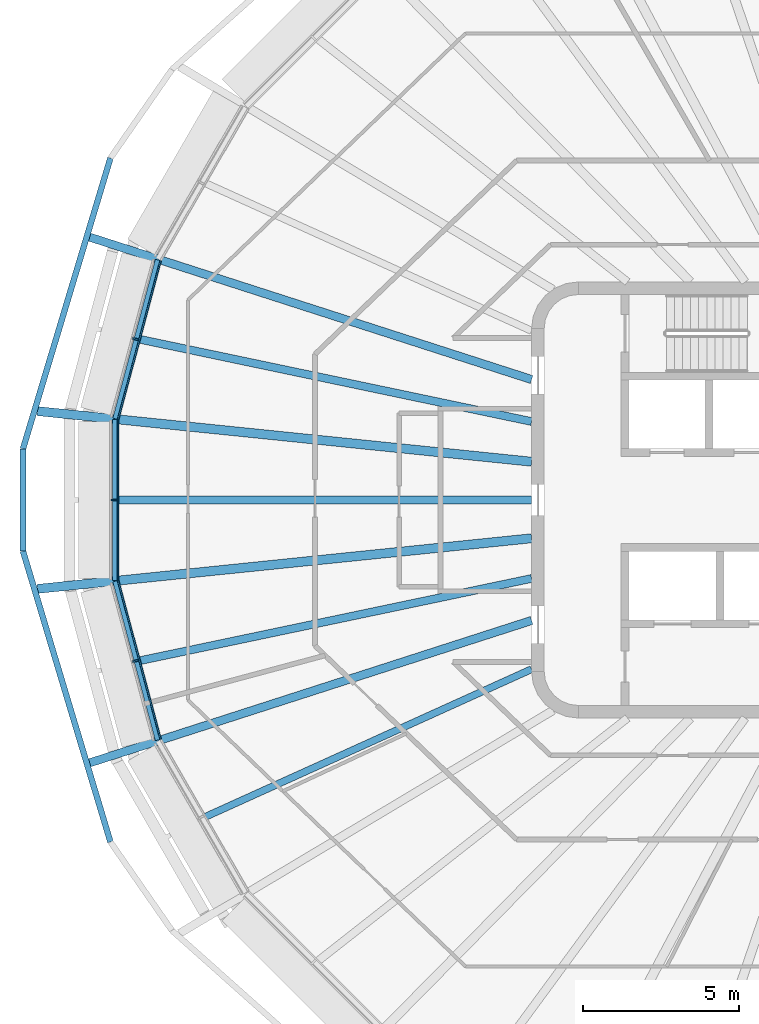
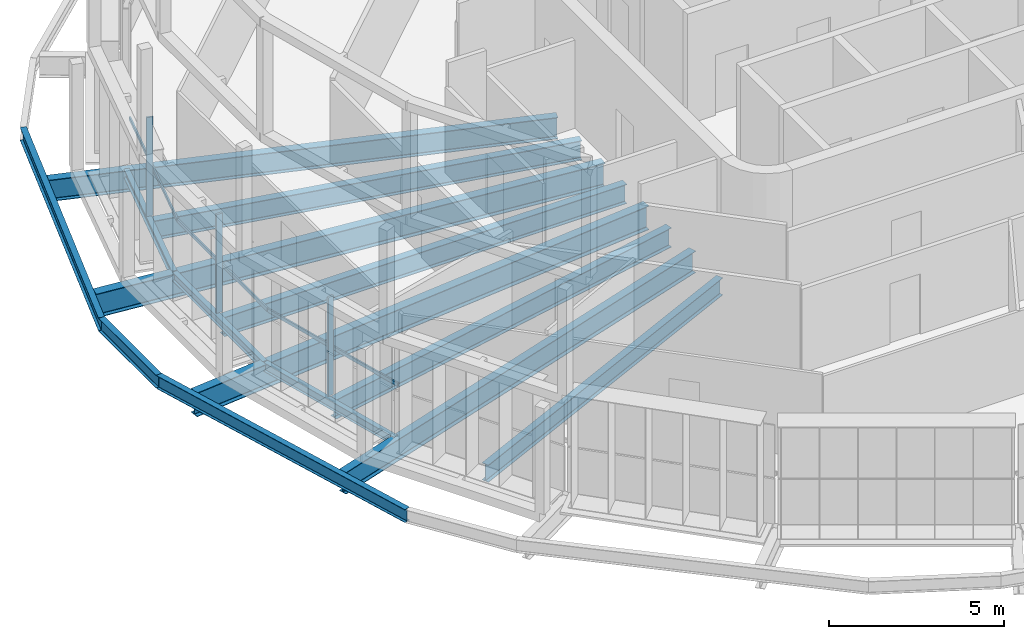
# One storey, part 2 of 18: 14 beams, 6 members, 3 elements without a shape of their own.
"""IFC4 building model written with IfcOpenShell, lengths in metres."""

from ifc_helpers import new_model, si_unit, direction, frame, origin, origin_2d, place, context, subcontext, project, spatial, rectangle, i_section, extrude, material, layer, layer_set, material_profile, profile_set, type_object, element, aggregate, save


model = new_model("IFC4")

# Units and contexts
model_context = context("Model", 3, precision=1e-05, world=origin(), true_north=direction((0.0, 1.0)))
body_context = subcontext(model_context, "Body", "Model", "MODEL_VIEW")
ifc_project = project(units=[si_unit("LENGTHUNIT", "METRE"), si_unit("AREAUNIT", "SQUARE_METRE"), si_unit("VOLUMEUNIT", "CUBIC_METRE"), si_unit("PLANEANGLEUNIT", "RADIAN"), si_unit("MASSUNIT", "GRAM", prefix="KILO")], contexts=[model_context])

# Site, building, storey
site_placement = place(None, origin())
site = spatial("IfcSite", under=ifc_project, at=site_placement, CompositionType="ELEMENT")
building_placement = place(site_placement, origin())
building = spatial("IfcBuilding", under=site, at=building_placement, Name="Sahrelin Media Tower", CompositionType="ELEMENT")
storey_placement = place(building_placement, frame((0.0, 0.0, 312.39990234375)))
storey = spatial("IfcBuildingStorey", under=building, at=storey_placement, Name="L69", CompositionType="ELEMENT", Elevation=312.39990234375)

# Beams
ifc_material_1 = material(Name="Steel S355", Category="steel")
ifc_material_profile_1 = material_profile(ifc_material_1, i_section(OverallWidth=0.1650390625, OverallDepth=0.303466796875, WebThickness=0.006103515625, FlangeThickness=0.01025390625, FilletRadius=0.0087890625, at=origin_2d()), Name="UB 305x165x40")
ifc_profile_set_1 = profile_set([ifc_material_profile_1], Name="Steel S355")
beam_type_1 = type_object("IfcBeamType", Name="Edge beam EB2", PredefinedType="BEAM", material=ifc_profile_set_1)
beam_1_placement = place(storey_placement, frame((-23.9970703125, -7.705078125, -0.301513671875), z_axis=(-0.258785415535, 0.965934836677, 0.0), x_axis=(-0.965934836677, -0.258785415535, 0.0)))
element("IfcBeam", 1, at=beam_1_placement, inside=storey, type_object=beam_type_1, Name="Edge beam L69-08", PredefinedType="BEAM", context=body_context, shape_type="SweptSolid", body=[
    extrude(i_section(OverallWidth=0.1650390625, OverallDepth=0.303466796875, WebThickness=0.006103515625, FlangeThickness=0.01025390625, FilletRadius=0.0087890625, at=origin_2d()), origin(), (0.0, 0.0, 1.0), 5.27734375),
])
beam_2_placement = place(storey_placement, frame((-25.36669921875, -2.578857421875, -0.301513671875), z_axis=(0.0, 1.0, 0.0), x_axis=(-1.0, 0.0, 0.0)))
element("IfcBeam", 2, at=beam_2_placement, inside=storey, type_object=beam_type_1, Name="Edge beam L69-09", PredefinedType="BEAM", context=body_context, shape_type="SweptSolid", body=[
    extrude(i_section(OverallWidth=0.1650390625, OverallDepth=0.303466796875, WebThickness=0.006103515625, FlangeThickness=0.01025390625, FilletRadius=0.0087890625, at=origin_2d()), origin(), (0.0, 0.0, 1.0), 5.15771484375),
])
beam_3_placement = place(storey_placement, frame((-25.36279296875, 2.607421875, -0.301513671875), z_axis=(0.258785415535, 0.965934836677, 0.0), x_axis=(-0.965934836677, 0.258785415535, 0.0)))
element("IfcBeam", 3, at=beam_3_placement, inside=storey, type_object=beam_type_1, Name="Edge beam L69-10", PredefinedType="BEAM", context=body_context, shape_type="SweptSolid", body=[
    extrude(i_section(OverallWidth=0.1650390625, OverallDepth=0.303466796875, WebThickness=0.006103515625, FlangeThickness=0.01025390625, FilletRadius=0.0087890625, at=origin_2d()), origin(), (0.0, 0.0, 1.0), 5.27734375),
])

# Curtain wall, member
ifc_material_2 = material(Name="Champagne anodised aluminium 6063-T6", Category="aluminium")
ifc_layer = layer(ifc_material_2, 0.14990234375)
ifc_layer_set = layer_set([ifc_layer], Name="Tower ribbon curtain wall")
curtain_wall_type = type_object("IfcCurtainWallType", Name="Tower ribbon curtain wall", PredefinedType="NOTDEFINED", material=ifc_layer_set)
curtain_wall_1_placement = place(storey_placement, frame((-24.824951171875, 5.195068359375, 0.0), z_axis=(0.0, 0.0, 1.0), x_axis=(1.0, 0.0, 0.0)))
curtain_wall_1 = element("IfcCurtainWall", 4, at=curtain_wall_1_placement, inside=storey, type_object=curtain_wall_type, Name="L69:CW:L69-11", PredefinedType="NOTDEFINED")
ifc_material_profile_2 = material_profile(ifc_material_2, rectangle(XDim=0.06005859375, YDim=0.199951171875, at=origin_2d()), Name="Mullion 60x200")
ifc_profile_set_2 = profile_set([ifc_material_profile_2], Name="Champagne anodised aluminium 6063-T6")
member_type_1 = type_object("IfcMemberType", Name="Mullion 60x200 CW1C", PredefinedType="MULLION", material=ifc_profile_set_2)
member_1_placement = place(storey_placement, frame((-24.708984375, 5.1640625, 0.0), z_axis=(0.0, 0.0, 1.0), x_axis=(-0.258812301662, -0.965927633163, 0.0)))
member_1 = element("IfcMember", 5, at=member_1_placement, type_object=member_type_1, Name="L69:CWM:L69-11", PredefinedType="MULLION", context=body_context, shape_type="SweptSolid", body=[
    extrude(rectangle(XDim=0.06005859375, YDim=0.199951171875, at=origin_2d()), origin(), (0.0, 0.0, 1.0), 3.44873046875),
])

curtain_wall_2_placement = place(storey_placement, frame((-25.5166015625, 0.0, 0.0), z_axis=(0.0, 0.0, 1.0), x_axis=(1.0, 0.0, 0.0)))
curtain_wall_2 = element("IfcCurtainWall", 6, at=curtain_wall_2_placement, inside=storey, type_object=curtain_wall_type, Name="L69:CW:L69-12", PredefinedType="NOTDEFINED")
member_2_placement = place(storey_placement, frame((-25.396728515625, 0.0, 0.0), z_axis=(0.0, 0.0, 1.0), x_axis=(0.0, -1.0, 0.0)))
member_2 = element("IfcMember", 7, at=member_2_placement, type_object=member_type_1, Name="L69:CWM:L69-12", PredefinedType="MULLION", context=body_context, shape_type="SweptSolid", body=[
    extrude(rectangle(XDim=0.06005859375, YDim=0.199951171875, at=origin_2d()), origin(), (0.0, 0.0, 1.0), 3.44873046875),
])

curtain_wall_3_placement = place(storey_placement, frame((-24.824951171875, -5.195068359375, 0.0), z_axis=(0.0, 0.0, 1.0), x_axis=(1.0, 0.0, 0.0)))
curtain_wall_3 = element("IfcCurtainWall", 8, at=curtain_wall_3_placement, inside=storey, type_object=curtain_wall_type, Name="L69:CW:L69-13", PredefinedType="NOTDEFINED")
member_3_placement = place(storey_placement, frame((-24.708984375, -5.1640625, 0.0), z_axis=(0.0, 0.0, 1.0), x_axis=(0.258812301662, -0.965927633163, 0.0)))
member_3 = element("IfcMember", 9, at=member_3_placement, type_object=member_type_1, Name="L69:CWM:L69-13", PredefinedType="MULLION", context=body_context, shape_type="SweptSolid", body=[
    extrude(rectangle(XDim=0.06005859375, YDim=0.199951171875, at=origin_2d()), origin(), (0.0, 0.0, 1.0), 3.44873046875),
])

# Beams
ifc_material_profile_3 = material_profile(ifc_material_1, i_section(OverallWidth=0.291748046875, OverallDepth=0.8349609375, WebThickness=0.013916015625, FlangeThickness=0.018798828125, FilletRadius=0.017822265625, at=origin_2d()), Name="UB 838x292x176")
ifc_profile_set_3 = profile_set([ifc_material_profile_3], Name="Steel S355")
beam_type_2 = type_object("IfcBeamType", Name="Radial primary beam PB10", PredefinedType="BEAM", material=ifc_profile_set_3)
for number, where, z_axis, x_axis, name in (
    (10, (-12.0, 1.22900390625, -0.5673828125), (-0.994796649045, 0.1018804547, 0.0), (-0.1018804547, -0.994796649045, 0.0), "Radial beam L69-12"),
    (11, (-12.0, -1.22900390625, -0.5673828125), (-0.994796649045, -0.1018804547, 0.0), (0.1018804547, -0.994796649045, 0.0), "Radial beam L69-13"),
):
    element("IfcBeam", number, at=place(storey_placement, frame(where, z_axis=z_axis, x_axis=x_axis)), inside=storey, type_object=beam_type_2, Name=name, PredefinedType="BEAM", context=body_context, shape_type="SweptSolid", body=[
        extrude(i_section(OverallWidth=0.291748046875, OverallDepth=0.8349609375, WebThickness=0.013916015625, FlangeThickness=0.018798828125, FilletRadius=0.017822265625, at=origin_2d()), origin(), (0.0, 0.0, 1.0), 15.9453125),
    ])
ifc_material_profile_4 = material_profile(ifc_material_1, i_section(OverallWidth=0.26513671875, OverallDepth=0.75390625, WebThickness=0.0126953125, FlangeThickness=0.017578125, FilletRadius=0.0166015625, at=origin_2d()), Name="UB 762x267x147")
ifc_profile_set_4 = profile_set([ifc_material_profile_4], Name="Steel S355")
beam_type_3 = type_object("IfcBeamType", Name="Radial primary beam PB9", PredefinedType="BEAM", material=ifc_profile_set_4)
for number, where, z_axis, x_axis, name in (
    (12, (-12.0, 3.8671875, -0.52685546875), (-0.951802770079, 0.306710754409, 0.0), (-0.306710754409, -0.951802770079, 0.0), "Radial beam L69-11"),
    (13, (-12.0, -3.8671875, -0.52685546875), (-0.951802770079, -0.306710754409, 0.0), (0.306710754409, -0.951802770079, 0.0), "Radial beam L69-14"),
):
    element("IfcBeam", number, at=place(storey_placement, frame(where, z_axis=z_axis, x_axis=x_axis)), inside=storey, type_object=beam_type_3, Name=name, PredefinedType="BEAM", context=body_context, shape_type="SweptSolid", body=[
        extrude(i_section(OverallWidth=0.26513671875, OverallDepth=0.75390625, WebThickness=0.0126953125, FlangeThickness=0.017578125, FilletRadius=0.0166015625, at=origin_2d()), origin(), (0.0, 0.0, 1.0), 14.901123046875),
    ])
ifc_material_profile_5 = material_profile(ifc_material_1, i_section(OverallWidth=0.2275390625, OverallDepth=0.6025390625, WebThickness=0.010498046875, FlangeThickness=0.014892578125, FilletRadius=0.0126953125, at=origin_2d()), Name="UB 610x229x101")
ifc_profile_set_5 = profile_set([ifc_material_profile_5], Name="Steel S355")
beam_type_4 = type_object("IfcBeamType", Name="Radial secondary beam SB7", PredefinedType="BEAM", material=ifc_profile_set_5)
beam_4_placement = place(storey_placement, frame((-12.0, -5.43115234375, -0.451171875), z_axis=(-0.911023083006, -0.412355359163, 0.0), x_axis=(0.412355359163, -0.911023083006, 0.0)))
element("IfcBeam", 14, at=beam_4_placement, inside=storey, type_object=beam_type_4, Name="Secondary beam L69-14", PredefinedType="BEAM", context=body_context, shape_type="SweptSolid", body=[
    extrude(i_section(OverallWidth=0.2275390625, OverallDepth=0.6025390625, WebThickness=0.010498046875, FlangeThickness=0.014892578125, FilletRadius=0.0126953125, at=origin_2d()), origin(), (0.0, 0.0, 1.0), 11.50390625),
])
ifc_material_profile_6 = material_profile(ifc_material_1, i_section(OverallWidth=0.2529296875, OverallDepth=0.677978515625, WebThickness=0.01171875, FlangeThickness=0.01611328125, FilletRadius=0.01513671875, at=origin_2d()), Name="UB 686x254x125")
ifc_profile_set_6 = profile_set([ifc_material_profile_6], Name="Steel S355")
beam_type_5 = type_object("IfcBeamType", Name="Radial secondary beam SB8", PredefinedType="BEAM", material=ifc_profile_set_6)
beam_5_placement = place(storey_placement, frame((-12.0, 2.518798828125, -0.489013671875), z_axis=(-0.978672611254, 0.205426191079, 0.0), x_axis=(-0.205426191079, -0.978672611254, 0.0)))
element("IfcBeam", 15, at=beam_5_placement, inside=storey, type_object=beam_type_5, Name="Secondary beam L69-11", PredefinedType="BEAM", context=body_context, shape_type="SweptSolid", body=[
    extrude(i_section(OverallWidth=0.2529296875, OverallDepth=0.677978515625, WebThickness=0.01171875, FlangeThickness=0.01611328125, FilletRadius=0.01513671875, at=origin_2d()), origin(), (0.0, 0.0, 1.0), 12.867431640625),
])
beam_6_placement = place(storey_placement, frame((-12.0, 0.0, -0.489013671875), z_axis=(-1.0, 0.0, 0.0), x_axis=(0.0, -1.0, 0.0)))
element("IfcBeam", 16, at=beam_6_placement, inside=storey, type_object=beam_type_5, Name="Secondary beam L69-12", PredefinedType="BEAM", context=body_context, shape_type="SweptSolid", body=[
    extrude(i_section(OverallWidth=0.2529296875, OverallDepth=0.677978515625, WebThickness=0.01171875, FlangeThickness=0.01611328125, FilletRadius=0.01513671875, at=origin_2d()), origin(), (0.0, 0.0, 1.0), 13.2841796875),
])
beam_7_placement = place(storey_placement, frame((-12.0, -2.518798828125, -0.489013671875), z_axis=(-0.978672611254, -0.205426191079, 0.0), x_axis=(0.205426191079, -0.978672611254, 0.0)))
element("IfcBeam", 17, at=beam_7_placement, inside=storey, type_object=beam_type_5, Name="Secondary beam L69-13", PredefinedType="BEAM", context=body_context, shape_type="SweptSolid", body=[
    extrude(i_section(OverallWidth=0.2529296875, OverallDepth=0.677978515625, WebThickness=0.01171875, FlangeThickness=0.01611328125, FilletRadius=0.01513671875, at=origin_2d()), origin(), (0.0, 0.0, 1.0), 12.867431640625),
])
ifc_material_profile_7 = material_profile(ifc_material_1, i_section(OverallWidth=0.1904296875, OverallDepth=0.45703125, WebThickness=0.009033203125, FlangeThickness=0.014404296875, FilletRadius=0.01025390625, at=origin_2d()), Name="UB 457x191x74")
ifc_profile_set_7 = profile_set([ifc_material_profile_7], Name="Steel S355")
beam_type_6 = type_object("IfcBeamType", Name="Tie chord TC5", PredefinedType="BEAM", material=ifc_profile_set_7)
beam_8_placement = place(storey_placement, frame((-25.51806640625, 10.97900390625, -0.37841796875), z_axis=(-0.287981635089, -0.957635931788, 0.0), x_axis=(0.957635931788, -0.287981635089, 0.0)))
element("IfcBeam", 18, at=beam_8_placement, inside=storey, type_object=beam_type_6, Name="Tie chord L69-11", PredefinedType="BEAM", context=body_context, shape_type="SweptSolid", body=[
    extrude(i_section(OverallWidth=0.1904296875, OverallDepth=0.45703125, WebThickness=0.009033203125, FlangeThickness=0.014404296875, FilletRadius=0.01025390625, at=origin_2d()), origin(), (0.0, 0.0, 1.0), 9.75341796875),
])
beam_9_placement = place(storey_placement, frame((-28.326904296875, 1.638671875, -0.37841796875), z_axis=(0.0, -1.0, 0.0), x_axis=(1.0, 0.0, 0.0)))
element("IfcBeam", 19, at=beam_9_placement, inside=storey, type_object=beam_type_6, Name="Tie chord L69-12", PredefinedType="BEAM", context=body_context, shape_type="SweptSolid", body=[
    extrude(i_section(OverallWidth=0.1904296875, OverallDepth=0.45703125, WebThickness=0.009033203125, FlangeThickness=0.014404296875, FilletRadius=0.01025390625, at=origin_2d()), origin(), (0.0, 0.0, 1.0), 3.27734375),
])
beam_10_placement = place(storey_placement, frame((-28.326904296875, -1.638671875, -0.37841796875), z_axis=(0.287981635089, -0.957635931788, 0.0), x_axis=(0.957635931788, 0.287981635089, 0.0)))
element("IfcBeam", 20, at=beam_10_placement, inside=storey, type_object=beam_type_6, Name="Tie chord L69-13", PredefinedType="BEAM", context=body_context, shape_type="SweptSolid", body=[
    extrude(i_section(OverallWidth=0.1904296875, OverallDepth=0.45703125, WebThickness=0.009033203125, FlangeThickness=0.014404296875, FilletRadius=0.01025390625, at=origin_2d()), origin(), (0.0, 0.0, 1.0), 9.75341796875),
])

# Member
ifc_material_profile_8 = material_profile(ifc_material_2, rectangle(XDim=0.050048828125, YDim=0.1201171875, at=origin_2d()), Name="Transom 50x120")
ifc_profile_set_8 = profile_set([ifc_material_profile_8], Name="Champagne anodised aluminium 6063-T6")
member_type_2 = type_object("IfcMemberType", Name="Transom 50x120 CW1C", PredefinedType="USERDEFINED", material=ifc_profile_set_8)
member_4_placement = place(storey_placement, frame((-23.909423828125, 7.665283203125, 1.60009765625), z_axis=(-0.258806648574, -0.965929147844, 0.0), x_axis=(0.965929147844, -0.258806648574, 0.0)))
member_4 = element("IfcMember", 21, at=member_4_placement, type_object=member_type_2, Name="L69:CWT:L69-11", ObjectType="TRANSOM", PredefinedType="USERDEFINED", context=body_context, shape_type="SweptSolid", body=[
    extrude(rectangle(XDim=0.050048828125, YDim=0.1201171875, at=origin_2d()), origin(), (0.0, 0.0, 1.0), 5.245849609375),
])

aggregate(curtain_wall_1, [member_1, member_4])

member_5_placement = place(storey_placement, frame((-25.271728515625, 2.563232421875, 1.60009765625), z_axis=(0.0, -1.0, 0.0), x_axis=(1.0, 0.0, 0.0)))
member_5 = element("IfcMember", 22, at=member_5_placement, type_object=member_type_2, Name="L69:CWT:L69-12", ObjectType="TRANSOM", PredefinedType="USERDEFINED", context=body_context, shape_type="SweptSolid", body=[
    extrude(rectangle(XDim=0.050048828125, YDim=0.1201171875, at=origin_2d()), origin(), (0.0, 0.0, 1.0), 5.12646484375),
])

aggregate(curtain_wall_2, [member_2, member_5])

member_6_placement = place(storey_placement, frame((-25.26708984375, -2.59814453125, 1.60009765625), z_axis=(0.258806648574, -0.965929147844, 0.0), x_axis=(0.965929147844, 0.258806648574, 0.0)))
member_6 = element("IfcMember", 23, at=member_6_placement, type_object=member_type_2, Name="L69:CWT:L69-13", ObjectType="TRANSOM", PredefinedType="USERDEFINED", context=body_context, shape_type="SweptSolid", body=[
    extrude(rectangle(XDim=0.050048828125, YDim=0.1201171875, at=origin_2d()), origin(), (0.0, 0.0, 1.0), 5.245849609375),
])

aggregate(curtain_wall_3, [member_3, member_6])

save(model, "model.ifc")
